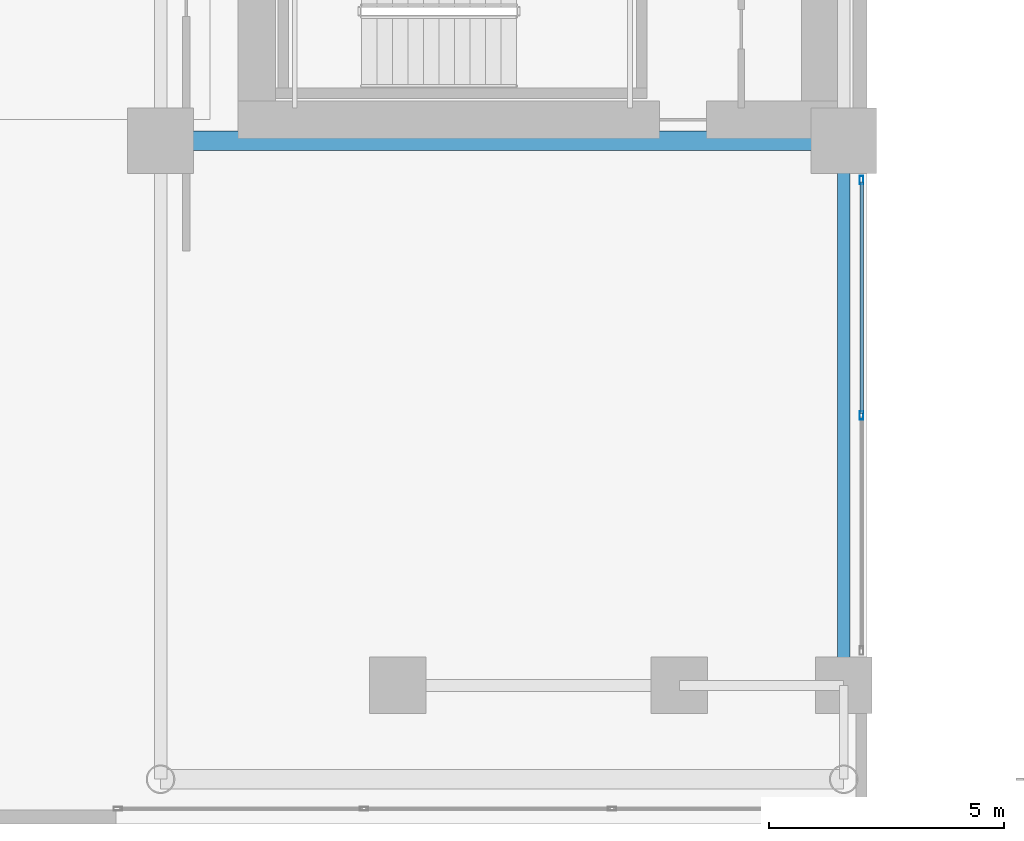
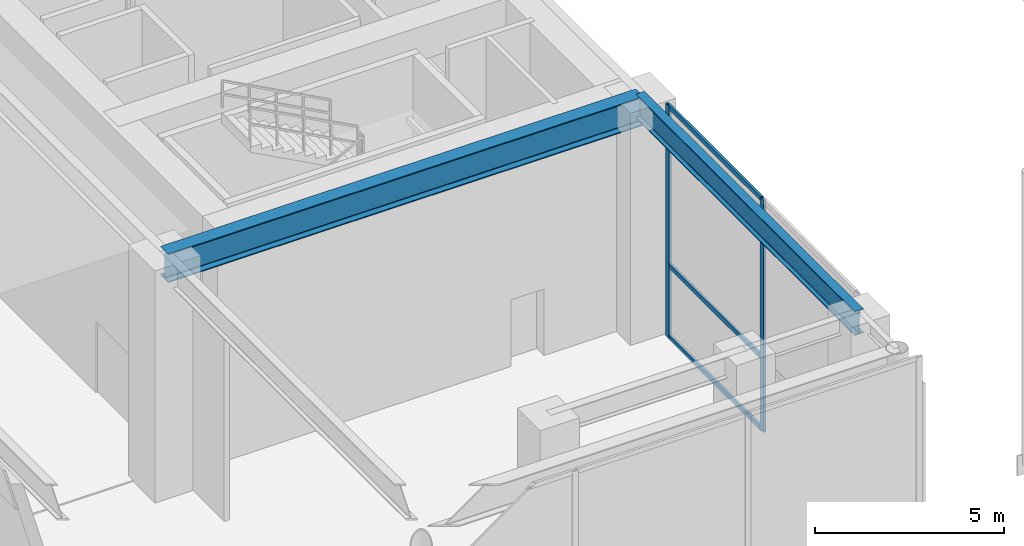
# One storey, part 6 of 29: 5 members, 2 beams, 1 element without a shape of its own.
"""IFC4 building model written with IfcOpenShell, lengths in metres."""

from ifc_helpers import new_model, si_unit, direction, frame, origin, origin_2d, place, context, subcontext, project, spatial, hollow_rectangle, i_section, extrude, source, transform, mapped, material, layer, layer_set, material_profile, profile_set, type_object, element, aggregate, save


model = new_model("IFC4")

# Units and contexts
model_context = context("Model", 3, precision=1e-05, world=origin(), true_north=direction((0.0, 1.0)))
body_context = subcontext(model_context, "Body", "Model", "MODEL_VIEW")
ifc_project = project(units=[si_unit("LENGTHUNIT", "METRE"), si_unit("AREAUNIT", "SQUARE_METRE"), si_unit("VOLUMEUNIT", "CUBIC_METRE"), si_unit("PLANEANGLEUNIT", "RADIAN"), si_unit("MASSUNIT", "GRAM", prefix="KILO")], contexts=[model_context])

# Site, building, storey
site_placement = place(None, origin())
site = spatial("IfcSite", under=ifc_project, at=site_placement, CompositionType="ELEMENT")
building_placement = place(site_placement, origin())
building = spatial("IfcBuilding", under=site, at=building_placement, Name="Ocotamira Hotel", CompositionType="ELEMENT")
storey_placement = place(building_placement, frame((0.0, 0.0, 11.39990234375)))
storey = spatial("IfcBuildingStorey", under=building, at=storey_placement, Name="L03", CompositionType="ELEMENT", Elevation=11.39990234375)

# Beams
ifc_material_1 = material(Name="Steel ASTM A992 Grade 50", Category="steel")
ifc_material_profile_1 = material_profile(ifc_material_1, i_section(OverallWidth=0.41796875, OverallDepth=0.927001953125, WebThickness=0.019287109375, FlangeThickness=0.031982421875, FilletRadius=0.02392578125, at=origin_2d()), Name="W36X231")
ifc_profile_set_1 = profile_set([ifc_material_profile_1], Name="Steel ASTM A992 Grade 50")
beam_type_1 = type_object("IfcBeamType", Name="BM-GIRD-W36X231", PredefinedType="BEAM", material=ifc_profile_set_1)
shared_shape_1 = source(origin(), body_context, "Body", "SweptSolid", [
    extrude(i_section(OverallWidth=0.41796875, OverallDepth=0.927001953125, WebThickness=0.019287109375, FlangeThickness=0.031982421875, FilletRadius=0.02392578125, at=origin_2d()), origin(), (0.0, 0.0, 1.0), 14.550048828125),
])
beam_1_placement = place(storey_placement, frame((8.949951171875, 14.550048828125, 7.046630859375), z_axis=(1.0, 0.0, 0.0), x_axis=(0.0, 1.0, 0.0)))
element("IfcBeam", 1, at=beam_1_placement, inside=storey, type_object=beam_type_1, Name="L03 Girder Y14.55 X8.95-23.5", PredefinedType="BEAM", context=body_context, shape_type="MappedRepresentation", body=[
    mapped(shared_shape_1, transform((0.0, 0.0, 0.0), scale=1.0)),
])
ifc_material_profile_2 = material_profile(ifc_material_1, i_section(OverallWidth=0.26611328125, OverallDepth=0.779052734375, WebThickness=0.0166015625, FlangeThickness=0.030029296875, FilletRadius=0.01806640625, at=origin_2d()), Name="W30X148")
ifc_profile_set_2 = profile_set([ifc_material_profile_2], Name="Steel ASTM A992 Grade 50")
beam_type_2 = type_object("IfcBeamType", Name="BM-GIRD-W30X148", PredefinedType="BEAM", material=ifc_profile_set_2)
shared_shape_2 = source(origin(), body_context, "Body", "SweptSolid", [
    extrude(i_section(OverallWidth=0.26611328125, OverallDepth=0.779052734375, WebThickness=0.0166015625, FlangeThickness=0.030029296875, FilletRadius=0.01806640625, at=origin_2d()), origin(), (0.0, 0.0, 1.0), 11.60009765625),
])
beam_2_placement = place(storey_placement, frame((23.5, 2.949951171875, 7.12060546875), z_axis=(0.0, 1.0, 0.0), x_axis=(-1.0, 0.0, 0.0)))
element("IfcBeam", 2, at=beam_2_placement, inside=storey, type_object=beam_type_2, Name="L03 Beam X23.5 Y2.95-14.55", PredefinedType="BEAM", context=body_context, shape_type="MappedRepresentation", body=[
    mapped(shared_shape_2, transform((0.0, 0.0, 0.0), scale=1.0)),
])

# Curtain wall, members
ifc_material_2 = material(Name="Anodised pale-metal aluminium and solar glass", Category="aluminium")
ifc_layer = layer(ifc_material_2, 0.219970703125)
ifc_layer_set = layer_set([ifc_layer], Name="Anodised pale-metal aluminium and solar glass")
curtain_wall_type = type_object("IfcCurtainWallType", Name="CW-SYS1-POD", PredefinedType="NOTDEFINED", material=ifc_layer_set)
curtain_wall_placement = place(storey_placement, origin())
curtain_wall = element("IfcCurtainWall", 3, at=curtain_wall_placement, inside=storey, type_object=curtain_wall_type, Name="L03 Curtain Wall CW-1 CW-L03-AW-S", PredefinedType="NOTDEFINED")
ifc_material_3 = material(Name="Anodised pale-metal aluminium 6063-T6", Category="aluminium")
ifc_material_profile_3 = material_profile(ifc_material_3, hollow_rectangle(XDim=0.074951171875, YDim=0.14990234375, WallThickness=0.006103515625, at=origin_2d()), Name="HSS150X75X6")
ifc_profile_set_3 = profile_set([ifc_material_profile_3], Name="Anodised pale-metal aluminium 6063-T6")
member_type_1 = type_object("IfcMemberType", Name="CWT-150X75", PredefinedType="USERDEFINED", material=ifc_profile_set_3)
shared_shape_3 = source(origin(), body_context, "Body", "SweptSolid", [
    extrude(hollow_rectangle(XDim=0.074951171875, YDim=0.14990234375, WallThickness=0.006103515625, at=origin_2d()), origin(), (0.0, 0.0, 1.0), 4.929931640625),
])
member_1_placement = place(storey_placement, frame((23.8798828125, 8.739990234375, 0.03759765625), z_axis=(0.0, 1.0, 0.0), x_axis=(-1.0, 0.0, 0.0)))
member_1 = element("IfcMember", 4, at=member_1_placement, type_object=member_type_1, Name="CW-1 transom 2.1", ObjectType="TRANSOM", PredefinedType="USERDEFINED", context=body_context, shape_type="MappedRepresentation", body=[
    mapped(shared_shape_3, transform((0.0, 0.0, 0.0), scale=1.0)),
])
member_2_placement = place(storey_placement, frame((23.8798828125, 8.739990234375, 2.35009765625), z_axis=(0.0, 1.0, 0.0), x_axis=(-1.0, 0.0, 0.0)))
member_2 = element("IfcMember", 5, at=member_2_placement, type_object=member_type_1, Name="CW-1 transom 2.2", ObjectType="TRANSOM", PredefinedType="USERDEFINED", context=body_context, shape_type="MappedRepresentation", body=[
    mapped(shared_shape_3, transform((0.0, 0.0, 0.0), scale=1.0)),
])
member_3_placement = place(storey_placement, frame((23.8798828125, 8.739990234375, 7.47265625), z_axis=(0.0, 1.0, 0.0), x_axis=(-1.0, 0.0, 0.0)))
member_3 = element("IfcMember", 6, at=member_3_placement, type_object=member_type_1, Name="CW-1 transom 2.3", ObjectType="TRANSOM", PredefinedType="USERDEFINED", context=body_context, shape_type="MappedRepresentation", body=[
    mapped(shared_shape_3, transform((0.0, 0.0, 0.0), scale=1.0)),
])
ifc_material_profile_4 = material_profile(ifc_material_3, hollow_rectangle(XDim=0.080078125, YDim=0.179931640625, WallThickness=0.006103515625, at=origin_2d()), Name="HSS180X80X6")
ifc_profile_set_4 = profile_set([ifc_material_profile_4], Name="Anodised pale-metal aluminium 6063-T6")
member_type_2 = type_object("IfcMemberType", Name="CWM-180X75", PredefinedType="MULLION", material=ifc_profile_set_4)
shared_shape_4 = source(origin(), body_context, "Body", "SweptSolid", [
    extrude(hollow_rectangle(XDim=0.080078125, YDim=0.179931640625, WallThickness=0.006103515625, at=origin_2d()), origin(), (0.0, 0.0, 1.0), 7.510009765625),
])
member_4_placement = place(storey_placement, frame((23.8798828125, 8.699951171875, 0.0), z_axis=(0.0, 0.0, 1.0), x_axis=(-1.0, 0.0, 0.0)))
member_4 = element("IfcMember", 7, at=member_4_placement, type_object=member_type_2, Name="CW-1 mullion 2", PredefinedType="MULLION", context=body_context, shape_type="MappedRepresentation", body=[
    mapped(shared_shape_4, transform((0.0, 0.0, 0.0), scale=1.0)),
])
member_5_placement = place(storey_placement, frame((23.8798828125, 13.7099609375, 0.0), z_axis=(0.0, 0.0, 1.0), x_axis=(-1.0, 0.0, 0.0)))
member_5 = element("IfcMember", 8, at=member_5_placement, type_object=member_type_2, Name="CW-1 mullion 3", PredefinedType="MULLION", context=body_context, shape_type="MappedRepresentation", body=[
    mapped(shared_shape_4, transform((0.0, 0.0, 0.0), scale=1.0)),
])
aggregate(curtain_wall, [member_4, member_5, member_1, member_2, member_3])

save(model, "model.ifc")
